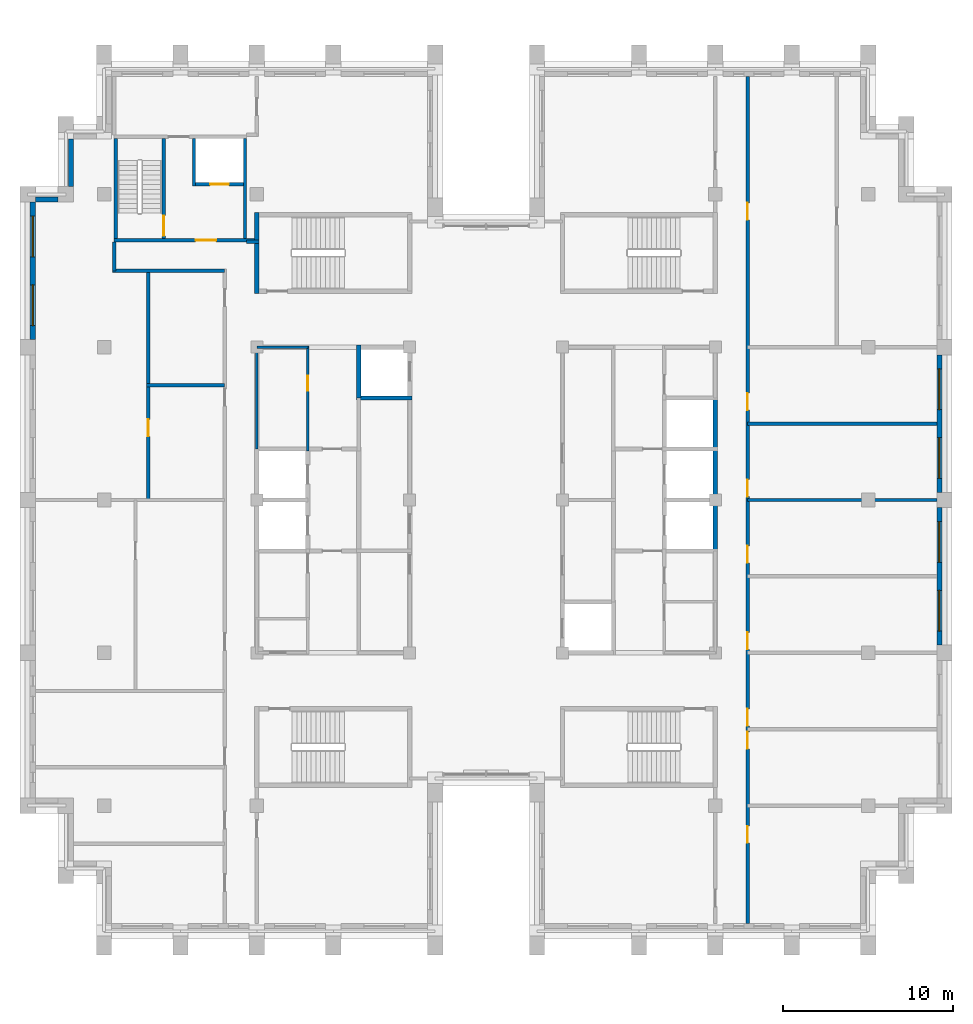
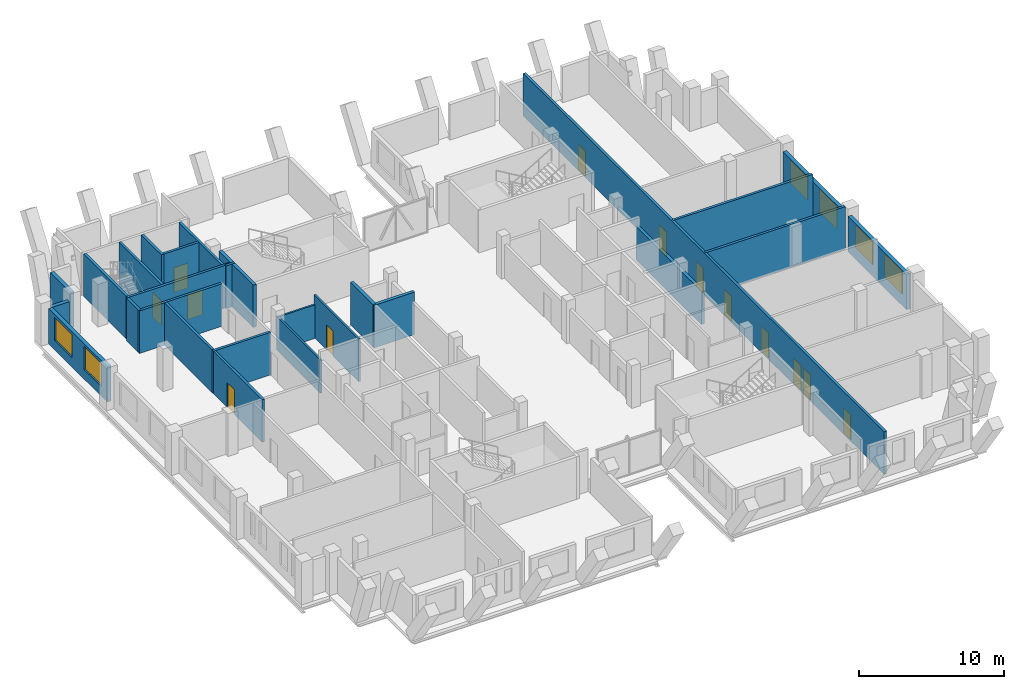
# One storey, part 9 of 13: 26 walls, 13 doors, 6 windows, 19 openings.
"""IFC4 building model written with IfcOpenShell, lengths in metres."""

from ifc_helpers import new_model, si_unit, direction, frame, frame_2d, origin, place, context, subcontext, project, spatial, rectangle, extrude, material, layer, layer_set, type_object, element, fill, save


model = new_model("IFC4")

# Units and contexts
model_context = context("Model", 3, precision=1e-05, world=origin(), true_north=direction((0.0, 1.0)))
body_context = subcontext(model_context, "Body", "Model", "MODEL_VIEW")
ifc_project = project(units=[si_unit("LENGTHUNIT", "METRE"), si_unit("AREAUNIT", "SQUARE_METRE"), si_unit("VOLUMEUNIT", "CUBIC_METRE"), si_unit("PLANEANGLEUNIT", "RADIAN"), si_unit("MASSUNIT", "GRAM", prefix="KILO")], contexts=[model_context])

# Site, building, storey
site_placement = place(None, origin())
site = spatial("IfcSite", under=ifc_project, at=site_placement, CompositionType="ELEMENT")
building_placement = place(site_placement, origin())
building = spatial("IfcBuilding", under=site, at=building_placement, Name="Corbelhall Arena Tower", CompositionType="ELEMENT")
storey_placement = place(building_placement, frame((0.0, 0.0, 346.0)))
storey = spatial("IfcBuildingStorey", under=building, at=storey_placement, Name="L76", CompositionType="ELEMENT", Elevation=346.0)

# Walls
ifc_material_1 = material(Name="Precast concrete C40/50 with granite facing", Category="masonry")
ifc_layer_1 = layer(ifc_material_1, 0.300048828125)
ifc_layer_set_1 = layer_set([ifc_layer_1], Name="EV-IW1 Infill panel 300")
wall_type_1 = type_object("IfcWallType", Name="EV-IW1 Infill panel 300", PredefinedType="SOLIDWALL", material=ifc_layer_set_1)
wall_1_placement = place(storey_placement, frame((-24.449951171875, 21.25, 0.0), z_axis=(0.0, 0.0, 1.0), x_axis=(0.0, -1.0, 0.0)))
element("IfcWall", 1, at=wall_1_placement, inside=storey, type_object=wall_type_1, Name="Infill panel IW1", PredefinedType="SOLIDWALL", context=body_context, shape_type="SweptSolid", body=[
    extrude(rectangle(XDim=2.800048828125, YDim=0.300048828125, at=frame_2d((1.39990234375, 0.0))), origin(), (0.0, 0.0, 1.0), 2.989990234375),
])
wall_2_placement = place(storey_placement, frame((-25.199951171875, 17.699951171875, 0.0), z_axis=(0.0, 0.0, 1.0), x_axis=(-1.0, 0.0, 0.0)))
element("IfcWall", 2, at=wall_2_placement, inside=storey, type_object=wall_type_1, Name="Infill panel IW1", PredefinedType="SOLIDWALL", context=body_context, shape_type="SweptSolid", body=[
    extrude(rectangle(XDim=1.35009765625, YDim=0.300048828125, at=frame_2d((0.675048828125, 0.0))), origin(), (0.0, 0.0, 1.0), 2.989990234375),
])

# Wall, openings, windows
wall_3_placement = place(storey_placement, frame((-26.699951171875, 17.550048828125, 0.0), z_axis=(0.0, 0.0, 1.0), x_axis=(0.0, -1.0, 0.0)))
wall_3 = element("IfcWall", 3, at=wall_3_placement, inside=storey, type_object=wall_type_1, Name="Infill panel IW1", PredefinedType="SOLIDWALL", context=body_context, shape_type="SweptSolid", body=[
    extrude(rectangle(XDim=8.10009765625, YDim=0.300048828125, at=frame_2d((4.050048828125, 0.0))), origin(), (0.0, 0.0, 1.0), 2.989990234375),
])
opening_1_placement = place(wall_3_placement, frame((0.824951171875, 0.0, 0.800048828125)))
opening_1 = element("IfcOpeningElement", 4, at=opening_1_placement, cuts=wall_3, Name="Opening WN1", PredefinedType="OPENING", context=body_context, shape_type="SweptSolid", body=[
    extrude(rectangle(XDim=2.39990234375, YDim=1.949951171875, at=frame_2d((1.199951171875, 0.97509765625))), frame((0.0, 0.14990234375, 0.0), z_axis=(0.0, -1.0, 0.0), x_axis=(1.0, 0.0, 0.0)), (0.0, 0.0, 1.0), 0.300048828125),
])
opening_2_placement = place(wall_3_placement, frame((4.875, 0.0, 0.800048828125)))
opening_2 = element("IfcOpeningElement", 5, at=opening_2_placement, cuts=wall_3, Name="Opening WN1", PredefinedType="OPENING", context=body_context, shape_type="SweptSolid", body=[
    extrude(rectangle(XDim=2.39990234375, YDim=1.949951171875, at=frame_2d((1.199951171875, 0.97509765625))), frame((0.0, 0.14990234375, 0.0), z_axis=(0.0, -1.0, 0.0), x_axis=(1.0, 0.0, 0.0)), (0.0, 0.0, 1.0), 0.300048828125),
])
ifc_material_2 = material(Name="Aluminium black anodised", Category="aluminium")
window_type = type_object("IfcWindowType", Name="EV-WN1 Office window", PartitioningType="SINGLE_PANEL", PredefinedType="WINDOW", material=ifc_material_2)
window_1_placement = place(opening_1_placement, origin())
window_1 = element("IfcWindow", 6, at=window_1_placement, inside=storey, type_object=window_type, Name="Window WN1", OverallHeight=1.949951171875, OverallWidth=2.39990234375, PartitioningType="SINGLE_PANEL", PredefinedType="WINDOW", context=body_context, shape_type="SweptSolid", body=[
    extrude(rectangle(XDim=2.39990234375, YDim=1.949951171875, at=frame_2d((1.199951171875, 0.97509765625))), frame((0.0, 0.030029296875, 0.0), z_axis=(0.0, -1.0, 0.0), x_axis=(1.0, 0.0, 0.0)), (0.0, 0.0, 1.0), 0.06005859375),
])
fill(opening_1, window_1)
window_2_placement = place(opening_2_placement, origin())
window_2 = element("IfcWindow", 7, at=window_2_placement, inside=storey, type_object=window_type, Name="Window WN1", OverallHeight=1.949951171875, OverallWidth=2.39990234375, PartitioningType="SINGLE_PANEL", PredefinedType="WINDOW", context=body_context, shape_type="SweptSolid", body=[
    extrude(rectangle(XDim=2.39990234375, YDim=1.949951171875, at=frame_2d((1.199951171875, 0.97509765625))), frame((0.0, 0.030029296875, 0.0), z_axis=(0.0, -1.0, 0.0), x_axis=(1.0, 0.0, 0.0)), (0.0, 0.0, 1.0), 0.06005859375),
])
fill(opening_2, window_2)

wall_4_placement = place(storey_placement, frame((26.699951171875, -8.550048828125, 0.0), z_axis=(0.0, 0.0, 1.0), x_axis=(0.0, 1.0, 0.0)))
wall_4 = element("IfcWall", 8, at=wall_4_placement, inside=storey, type_object=wall_type_1, Name="Infill panel IW1", PredefinedType="SOLIDWALL", context=body_context, shape_type="SweptSolid", body=[
    extrude(rectangle(XDim=8.10009765625, YDim=0.300048828125, at=frame_2d((4.050048828125, 0.0))), origin(), (0.0, 0.0, 1.0), 2.989990234375),
])
opening_3_placement = place(wall_4_placement, frame((0.824951171875, 0.0, 0.800048828125)))
opening_3 = element("IfcOpeningElement", 9, at=opening_3_placement, cuts=wall_4, Name="Opening WN1", PredefinedType="OPENING", context=body_context, shape_type="SweptSolid", body=[
    extrude(rectangle(XDim=2.39990234375, YDim=1.949951171875, at=frame_2d((1.199951171875, 0.97509765625))), frame((0.0, 0.14990234375, 0.0), z_axis=(0.0, -1.0, 0.0), x_axis=(1.0, 0.0, 0.0)), (0.0, 0.0, 1.0), 0.300048828125),
])
opening_4_placement = place(wall_4_placement, frame((4.875, 0.0, 0.800048828125)))
opening_4 = element("IfcOpeningElement", 10, at=opening_4_placement, cuts=wall_4, Name="Opening WN1", PredefinedType="OPENING", context=body_context, shape_type="SweptSolid", body=[
    extrude(rectangle(XDim=2.39990234375, YDim=1.949951171875, at=frame_2d((1.199951171875, 0.97509765625))), frame((0.0, 0.14990234375, 0.0), z_axis=(0.0, -1.0, 0.0), x_axis=(1.0, 0.0, 0.0)), (0.0, 0.0, 1.0), 0.300048828125),
])
window_3_placement = place(opening_3_placement, origin())
window_3 = element("IfcWindow", 11, at=window_3_placement, inside=storey, type_object=window_type, Name="Window WN1", OverallHeight=1.949951171875, OverallWidth=2.39990234375, PartitioningType="SINGLE_PANEL", PredefinedType="WINDOW", context=body_context, shape_type="SweptSolid", body=[
    extrude(rectangle(XDim=2.39990234375, YDim=1.949951171875, at=frame_2d((1.199951171875, 0.97509765625))), frame((0.0, 0.030029296875, 0.0), z_axis=(0.0, -1.0, 0.0), x_axis=(1.0, 0.0, 0.0)), (0.0, 0.0, 1.0), 0.06005859375),
])
fill(opening_3, window_3)
window_4_placement = place(opening_4_placement, origin())
window_4 = element("IfcWindow", 12, at=window_4_placement, inside=storey, type_object=window_type, Name="Window WN1", OverallHeight=1.949951171875, OverallWidth=2.39990234375, PartitioningType="SINGLE_PANEL", PredefinedType="WINDOW", context=body_context, shape_type="SweptSolid", body=[
    extrude(rectangle(XDim=2.39990234375, YDim=1.949951171875, at=frame_2d((1.199951171875, 0.97509765625))), frame((0.0, 0.030029296875, 0.0), z_axis=(0.0, -1.0, 0.0), x_axis=(1.0, 0.0, 0.0)), (0.0, 0.0, 1.0), 0.06005859375),
])
fill(opening_4, window_4)

wall_5_placement = place(storey_placement, frame((26.699951171875, 0.449951171875, 0.0), z_axis=(0.0, 0.0, 1.0), x_axis=(0.0, 1.0, 0.0)))
wall_5 = element("IfcWall", 13, at=wall_5_placement, inside=storey, type_object=wall_type_1, Name="Infill panel IW1", PredefinedType="SOLIDWALL", context=body_context, shape_type="SweptSolid", body=[
    extrude(rectangle(XDim=8.10009765625, YDim=0.300048828125, at=frame_2d((4.050048828125, 0.0))), origin(), (0.0, 0.0, 1.0), 2.989990234375),
])
opening_5_placement = place(wall_5_placement, frame((0.824951171875, 0.0, 0.800048828125)))
opening_5 = element("IfcOpeningElement", 14, at=opening_5_placement, cuts=wall_5, Name="Opening WN1", PredefinedType="OPENING", context=body_context, shape_type="SweptSolid", body=[
    extrude(rectangle(XDim=2.39990234375, YDim=1.949951171875, at=frame_2d((1.199951171875, 0.97509765625))), frame((0.0, 0.14990234375, 0.0), z_axis=(0.0, -1.0, 0.0), x_axis=(1.0, 0.0, 0.0)), (0.0, 0.0, 1.0), 0.300048828125),
])
opening_6_placement = place(wall_5_placement, frame((4.875, 0.0, 0.800048828125)))
opening_6 = element("IfcOpeningElement", 15, at=opening_6_placement, cuts=wall_5, Name="Opening WN1", PredefinedType="OPENING", context=body_context, shape_type="SweptSolid", body=[
    extrude(rectangle(XDim=2.39990234375, YDim=1.949951171875, at=frame_2d((1.199951171875, 0.97509765625))), frame((0.0, 0.14990234375, 0.0), z_axis=(0.0, -1.0, 0.0), x_axis=(1.0, 0.0, 0.0)), (0.0, 0.0, 1.0), 0.300048828125),
])
window_5_placement = place(opening_5_placement, origin())
window_5 = element("IfcWindow", 16, at=window_5_placement, inside=storey, type_object=window_type, Name="Window WN1", OverallHeight=1.949951171875, OverallWidth=2.39990234375, PartitioningType="SINGLE_PANEL", PredefinedType="WINDOW", context=body_context, shape_type="SweptSolid", body=[
    extrude(rectangle(XDim=2.39990234375, YDim=1.949951171875, at=frame_2d((1.199951171875, 0.97509765625))), frame((0.0, 0.030029296875, 0.0), z_axis=(0.0, -1.0, 0.0), x_axis=(1.0, 0.0, 0.0)), (0.0, 0.0, 1.0), 0.06005859375),
])
fill(opening_5, window_5)
window_6_placement = place(opening_6_placement, origin())
window_6 = element("IfcWindow", 17, at=window_6_placement, inside=storey, type_object=window_type, Name="Window WN1", OverallHeight=1.949951171875, OverallWidth=2.39990234375, PartitioningType="SINGLE_PANEL", PredefinedType="WINDOW", context=body_context, shape_type="SweptSolid", body=[
    extrude(rectangle(XDim=2.39990234375, YDim=1.949951171875, at=frame_2d((1.199951171875, 0.97509765625))), frame((0.0, 0.030029296875, 0.0), z_axis=(0.0, -1.0, 0.0), x_axis=(1.0, 0.0, 0.0)), (0.0, 0.0, 1.0), 0.06005859375),
])
fill(opening_6, window_6)

# Walls
ifc_material_3 = material(Name="Gypsum board on steel stud, acoustic", Category="steel")
ifc_layer_2 = layer(ifc_material_3, 0.199951171875)
ifc_layer_set_2 = layer_set([ifc_layer_2], Name="IN-W-DM200")
wall_type_2 = type_object("IfcWallType", Name="IN-W-DM200", PredefinedType="PARTITIONING", material=ifc_layer_set_2)
wall_6_placement = place(storey_placement, frame((-21.89990234375, 13.5, 0.0), z_axis=(0.0, 0.0, 1.0), x_axis=(0.0, 1.0, 0.0)))
element("IfcWall", 18, at=wall_6_placement, inside=storey, type_object=wall_type_2, Name="Partition 004", PredefinedType="PARTITIONING", context=body_context, shape_type="SweptSolid", body=[
    extrude(rectangle(XDim=1.699951171875, YDim=0.199951171875, at=frame_2d((0.85009765625, 0.0))), origin(), (0.0, 0.0, 1.0), 3.590087890625),
])
wall_7_placement = place(storey_placement, frame((-20.0, 6.75, 0.0), z_axis=(0.0, 0.0, 1.0), x_axis=(1.0, 0.0, 0.0)))
element("IfcWall", 19, at=wall_7_placement, inside=storey, type_object=wall_type_2, Name="Partition 008", PredefinedType="PARTITIONING", context=body_context, shape_type="SweptSolid", body=[
    extrude(rectangle(XDim=4.60009765625, YDim=0.199951171875, at=frame_2d((2.300048828125, 0.0))), origin(), (0.0, 0.0, 1.0), 3.590087890625),
])

# Wall, opening, door
wall_8_placement = place(storey_placement, frame((-19.89990234375, -0.10009765625, 0.0), z_axis=(0.0, 0.0, 1.0), x_axis=(0.0, 1.0, 0.0)))
wall_8 = element("IfcWall", 20, at=wall_8_placement, inside=storey, type_object=wall_type_2, Name="Partition 009", PredefinedType="PARTITIONING", context=body_context, shape_type="SweptSolid", body=[
    extrude(rectangle(XDim=13.60009765625, YDim=0.199951171875, at=frame_2d((6.800048828125, 0.0))), origin(), (0.0, 0.0, 1.0), 3.590087890625),
])
opening_7_placement = place(wall_8_placement, frame((3.85009765625, 0.0, 0.0)))
opening_7 = element("IfcOpeningElement", 21, at=opening_7_placement, cuts=wall_8, Name="Opening 24024", PredefinedType="OPENING", context=body_context, shape_type="SweptSolid", body=[
    extrude(rectangle(XDim=1.0, YDim=2.10009765625, at=frame_2d((0.5, 1.050048828125))), frame((0.0, 0.10009765625, 0.0), z_axis=(0.0, -1.0, 0.0), x_axis=(1.0, 0.0, 0.0)), (0.0, 0.0, 1.0), 0.199951171875),
])
ifc_material_4 = material(Name="Steel door set", Category="steel")
door_type_1 = type_object("IfcDoorType", Name="IN-D-SW100", OperationType="NOTDEFINED", PredefinedType="DOOR", material=ifc_material_4)
door_1_placement = place(opening_7_placement, origin())
door_1 = element("IfcDoor", 22, at=door_1_placement, inside=storey, type_object=door_type_1, Name="Door 024", OperationType="SINGLE_SWING_LEFT", OverallHeight=2.10009765625, OverallWidth=1.0, PredefinedType="DOOR", context=body_context, shape_type="SweptSolid", body=[
    extrude(rectangle(XDim=1.0, YDim=2.10009765625, at=frame_2d((0.5, 1.050048828125))), frame((0.0, 0.02490234375, 0.0), z_axis=(0.0, -1.0, 0.0), x_axis=(1.0, 0.0, 0.0)), (0.0, 0.0, 1.0), 0.050048828125),
])
fill(opening_7, door_1)

# Walls
wall_9_placement = place(storey_placement, frame((-15.39990234375, 13.5, 0.0), z_axis=(0.0, 0.0, 1.0), x_axis=(-1.0, 0.0, 0.0)))
element("IfcWall", 23, at=wall_9_placement, inside=storey, type_object=wall_type_2, Name="Partition 010", PredefinedType="PARTITIONING", context=body_context, shape_type="SweptSolid", body=[
    extrude(rectangle(XDim=6.60009765625, YDim=0.199951171875, at=frame_2d((3.300048828125, 0.0))), origin(), (0.0, 0.0, 1.0), 3.590087890625),
])
wall_10_placement = place(storey_placement, frame((-14.10009765625, 15.199951171875, 0.0), z_axis=(0.0, 0.0, 1.0), x_axis=(1.0, 0.0, 0.0)))
element("IfcWall", 24, at=wall_10_placement, inside=storey, type_object=wall_type_2, Name="Partition 012", PredefinedType="PARTITIONING", context=body_context, shape_type="SweptSolid", body=[
    extrude(rectangle(XDim=0.72509765625, YDim=0.199951171875, at=frame_2d((0.362548828125, 0.0))), origin(), (0.0, 0.0, 1.0), 3.590087890625),
])

# Wall, openings, doors
wall_11_placement = place(storey_placement, frame((15.39990234375, 24.949951171875, 0.0), z_axis=(0.0, 0.0, 1.0), x_axis=(0.0, -1.0, 0.0)))
wall_11 = element("IfcWall", 25, at=wall_11_placement, inside=storey, type_object=wall_type_2, Name="Partition 023", PredefinedType="PARTITIONING", context=body_context, shape_type="SweptSolid", body=[
    extrude(rectangle(XDim=49.89990234375, YDim=0.199951171875, at=frame_2d((24.949951171875, 0.0))), origin(), (0.0, 0.0, 1.0), 3.590087890625),
])
opening_8_placement = place(wall_11_placement, frame((23.75, 0.0, 0.0)))
opening_8 = element("IfcOpeningElement", 26, at=opening_8_placement, cuts=wall_11, Name="Opening 24030", PredefinedType="OPENING", context=body_context, shape_type="SweptSolid", body=[
    extrude(rectangle(XDim=1.0, YDim=2.10009765625, at=frame_2d((0.5, 1.050048828125))), frame((0.0, 0.10009765625, 0.0), z_axis=(0.0, -1.0, 0.0), x_axis=(1.0, 0.0, 0.0)), (0.0, 0.0, 1.0), 0.199951171875),
])
opening_9_placement = place(wall_11_placement, frame((18.64990234375, 0.0, 0.0)))
opening_9 = element("IfcOpeningElement", 27, at=opening_9_placement, cuts=wall_11, Name="Opening 24031", PredefinedType="OPENING", context=body_context, shape_type="SweptSolid", body=[
    extrude(rectangle(XDim=1.0, YDim=2.10009765625, at=frame_2d((0.5, 1.050048828125))), frame((0.0, 0.10009765625, 0.0), z_axis=(0.0, -1.0, 0.0), x_axis=(1.0, 0.0, 0.0)), (0.0, 0.0, 1.0), 0.199951171875),
])
opening_10_placement = place(wall_11_placement, frame((7.449951171875, 0.0, 0.0)))
opening_10 = element("IfcOpeningElement", 28, at=opening_10_placement, cuts=wall_11, Name="Opening 24032", PredefinedType="OPENING", context=body_context, shape_type="SweptSolid", body=[
    extrude(rectangle(XDim=1.0, YDim=2.10009765625, at=frame_2d((0.5, 1.050048828125))), frame((0.0, 0.10009765625, 0.0), z_axis=(0.0, -1.0, 0.0), x_axis=(1.0, 0.0, 0.0)), (0.0, 0.0, 1.0), 0.199951171875),
])
opening_11_placement = place(wall_11_placement, frame((44.14990234375, 0.0, 0.0)))
opening_11 = element("IfcOpeningElement", 29, at=opening_11_placement, cuts=wall_11, Name="Opening 24034", PredefinedType="OPENING", context=body_context, shape_type="SweptSolid", body=[
    extrude(rectangle(XDim=1.0, YDim=2.10009765625, at=frame_2d((0.5, 1.050048828125))), frame((0.0, 0.10009765625, 0.0), z_axis=(0.0, -1.0, 0.0), x_axis=(1.0, 0.0, 0.0)), (0.0, 0.0, 1.0), 0.199951171875),
])
opening_12_placement = place(wall_11_placement, frame((38.60009765625, 0.0, 0.0)))
opening_12 = element("IfcOpeningElement", 30, at=opening_12_placement, cuts=wall_11, Name="Opening 24035", PredefinedType="OPENING", context=body_context, shape_type="SweptSolid", body=[
    extrude(rectangle(XDim=1.0, YDim=2.10009765625, at=frame_2d((0.5, 1.050048828125))), frame((0.0, 0.10009765625, 0.0), z_axis=(0.0, -1.0, 0.0), x_axis=(1.0, 0.0, 0.0)), (0.0, 0.0, 1.0), 0.199951171875),
])
opening_13_placement = place(wall_11_placement, frame((37.25, 0.0, 0.0)))
opening_13 = element("IfcOpeningElement", 31, at=opening_13_placement, cuts=wall_11, Name="Opening 24036", PredefinedType="OPENING", context=body_context, shape_type="SweptSolid", body=[
    extrude(rectangle(XDim=1.0, YDim=2.10009765625, at=frame_2d((0.5, 1.050048828125))), frame((0.0, 0.10009765625, 0.0), z_axis=(0.0, -1.0, 0.0), x_axis=(1.0, 0.0, 0.0)), (0.0, 0.0, 1.0), 0.199951171875),
])
opening_14_placement = place(wall_11_placement, frame((32.75, 0.0, 0.0)))
opening_14 = element("IfcOpeningElement", 32, at=opening_14_placement, cuts=wall_11, Name="Opening 24037", PredefinedType="OPENING", context=body_context, shape_type="SweptSolid", body=[
    extrude(rectangle(XDim=1.0, YDim=2.10009765625, at=frame_2d((0.5, 1.050048828125))), frame((0.0, 0.10009765625, 0.0), z_axis=(0.0, -1.0, 0.0), x_axis=(1.0, 0.0, 0.0)), (0.0, 0.0, 1.0), 0.199951171875),
])
opening_15_placement = place(wall_11_placement, frame((27.64990234375, 0.0, 0.0)))
opening_15 = element("IfcOpeningElement", 33, at=opening_15_placement, cuts=wall_11, Name="Opening 24038", PredefinedType="OPENING", context=body_context, shape_type="SweptSolid", body=[
    extrude(rectangle(XDim=1.0, YDim=2.10009765625, at=frame_2d((0.5, 1.050048828125))), frame((0.0, 0.10009765625, 0.0), z_axis=(0.0, -1.0, 0.0), x_axis=(1.0, 0.0, 0.0)), (0.0, 0.0, 1.0), 0.199951171875),
])
door_2_placement = place(opening_8_placement, origin())
door_2 = element("IfcDoor", 34, at=door_2_placement, inside=storey, type_object=door_type_1, Name="Door 030", OperationType="SINGLE_SWING_LEFT", OverallHeight=2.10009765625, OverallWidth=1.0, PredefinedType="DOOR", context=body_context, shape_type="SweptSolid", body=[
    extrude(rectangle(XDim=1.0, YDim=2.10009765625, at=frame_2d((0.5, 1.050048828125))), frame((0.0, 0.02490234375, 0.0), z_axis=(0.0, -1.0, 0.0), x_axis=(1.0, 0.0, 0.0)), (0.0, 0.0, 1.0), 0.050048828125),
])
fill(opening_8, door_2)
door_3_placement = place(opening_9_placement, origin())
door_3 = element("IfcDoor", 35, at=door_3_placement, inside=storey, type_object=door_type_1, Name="Door 031", OperationType="SINGLE_SWING_RIGHT", OverallHeight=2.10009765625, OverallWidth=1.0, PredefinedType="DOOR", context=body_context, shape_type="SweptSolid", body=[
    extrude(rectangle(XDim=1.0, YDim=2.10009765625, at=frame_2d((0.5, 1.050048828125))), frame((0.0, 0.02490234375, 0.0), z_axis=(0.0, -1.0, 0.0), x_axis=(1.0, 0.0, 0.0)), (0.0, 0.0, 1.0), 0.050048828125),
])
fill(opening_9, door_3)
door_4_placement = place(opening_10_placement, origin())
door_4 = element("IfcDoor", 36, at=door_4_placement, inside=storey, type_object=door_type_1, Name="Door 032", OperationType="SINGLE_SWING_LEFT", OverallHeight=2.10009765625, OverallWidth=1.0, PredefinedType="DOOR", context=body_context, shape_type="SweptSolid", body=[
    extrude(rectangle(XDim=1.0, YDim=2.10009765625, at=frame_2d((0.5, 1.050048828125))), frame((0.0, 0.02490234375, 0.0), z_axis=(0.0, -1.0, 0.0), x_axis=(1.0, 0.0, 0.0)), (0.0, 0.0, 1.0), 0.050048828125),
])
fill(opening_10, door_4)
door_5_placement = place(opening_11_placement, origin())
door_5 = element("IfcDoor", 37, at=door_5_placement, inside=storey, type_object=door_type_1, Name="Door 034", OperationType="SINGLE_SWING_LEFT", OverallHeight=2.10009765625, OverallWidth=1.0, PredefinedType="DOOR", context=body_context, shape_type="SweptSolid", body=[
    extrude(rectangle(XDim=1.0, YDim=2.10009765625, at=frame_2d((0.5, 1.050048828125))), frame((0.0, 0.02490234375, 0.0), z_axis=(0.0, -1.0, 0.0), x_axis=(1.0, 0.0, 0.0)), (0.0, 0.0, 1.0), 0.050048828125),
])
fill(opening_11, door_5)
door_6_placement = place(opening_12_placement, origin())
door_6 = element("IfcDoor", 38, at=door_6_placement, inside=storey, type_object=door_type_1, Name="Door 035", OperationType="SINGLE_SWING_RIGHT", OverallHeight=2.10009765625, OverallWidth=1.0, PredefinedType="DOOR", context=body_context, shape_type="SweptSolid", body=[
    extrude(rectangle(XDim=1.0, YDim=2.10009765625, at=frame_2d((0.5, 1.050048828125))), frame((0.0, 0.02490234375, 0.0), z_axis=(0.0, -1.0, 0.0), x_axis=(1.0, 0.0, 0.0)), (0.0, 0.0, 1.0), 0.050048828125),
])
fill(opening_12, door_6)
door_7_placement = place(opening_13_placement, origin())
door_7 = element("IfcDoor", 39, at=door_7_placement, inside=storey, type_object=door_type_1, Name="Door 036", OperationType="SINGLE_SWING_LEFT", OverallHeight=2.10009765625, OverallWidth=1.0, PredefinedType="DOOR", context=body_context, shape_type="SweptSolid", body=[
    extrude(rectangle(XDim=1.0, YDim=2.10009765625, at=frame_2d((0.5, 1.050048828125))), frame((0.0, 0.02490234375, 0.0), z_axis=(0.0, -1.0, 0.0), x_axis=(1.0, 0.0, 0.0)), (0.0, 0.0, 1.0), 0.050048828125),
])
fill(opening_13, door_7)
door_8_placement = place(opening_14_placement, origin())
door_8 = element("IfcDoor", 40, at=door_8_placement, inside=storey, type_object=door_type_1, Name="Door 037", OperationType="SINGLE_SWING_RIGHT", OverallHeight=2.10009765625, OverallWidth=1.0, PredefinedType="DOOR", context=body_context, shape_type="SweptSolid", body=[
    extrude(rectangle(XDim=1.0, YDim=2.10009765625, at=frame_2d((0.5, 1.050048828125))), frame((0.0, 0.02490234375, 0.0), z_axis=(0.0, -1.0, 0.0), x_axis=(1.0, 0.0, 0.0)), (0.0, 0.0, 1.0), 0.050048828125),
])
fill(opening_14, door_8)
door_9_placement = place(opening_15_placement, origin())
door_9 = element("IfcDoor", 41, at=door_9_placement, inside=storey, type_object=door_type_1, Name="Door 038", OperationType="SINGLE_SWING_LEFT", OverallHeight=2.10009765625, OverallWidth=1.0, PredefinedType="DOOR", context=body_context, shape_type="SweptSolid", body=[
    extrude(rectangle(XDim=1.0, YDim=2.10009765625, at=frame_2d((0.5, 1.050048828125))), frame((0.0, 0.02490234375, 0.0), z_axis=(0.0, -1.0, 0.0), x_axis=(1.0, 0.0, 0.0)), (0.0, 0.0, 1.0), 0.050048828125),
])
fill(opening_15, door_9)

# Walls
for number, where, z_axis, x_axis, name in (
    (42, (15.39990234375, 4.5, 0.0), (0.0, 0.0, 1.0), (1.0, 0.0, 0.0), "Partition 027"),
    (43, (26.550048828125, 0.0, 0.0), (0.0, 0.0, 1.0), (-1.0, 0.0, 0.0), "Partition 030"),
):
    element("IfcWall", number, at=place(storey_placement, frame(where, z_axis=z_axis, x_axis=x_axis)), inside=storey, type_object=wall_type_2, Name=name, PredefinedType="PARTITIONING", context=body_context, shape_type="SweptSolid", body=[
        extrude(rectangle(XDim=11.150146484375, YDim=0.199951171875, at=frame_2d((5.5751953125, 0.0))), origin(), (0.0, 0.0, 1.0), 3.590087890625),
    ])

# Wall, opening, door
ifc_material_5 = material(Name="Concrete C40/50", Category="concrete")
ifc_layer_3 = layer(ifc_material_5, 0.199951171875)
ifc_layer_set_3 = layer_set([ifc_layer_3], Name="IN-W-EAR200")
wall_type_3 = type_object("IfcWallType", Name="IN-W-EAR200", PredefinedType="SOLIDWALL", material=ifc_layer_set_3)
wall_12_placement = place(storey_placement, frame((-21.89990234375, 15.300048828125, 0.0), z_axis=(0.0, 0.0, 1.0), x_axis=(1.0, 0.0, 0.0)))
wall_12 = element("IfcWall", 44, at=wall_12_placement, inside=storey, type_object=wall_type_3, Name="Fire service turret wall south", PredefinedType="SOLIDWALL", context=body_context, shape_type="SweptSolid", body=[
    extrude(rectangle(XDim=8.27490234375, YDim=0.199951171875, at=frame_2d((4.137451171875, 0.0))), origin(), (0.0, 0.0, 1.0), 3.590087890625),
])
opening_16_placement = place(wall_12_placement, frame((4.800048828125, 0.0, 0.0)))
opening_16 = element("IfcOpeningElement", 45, at=opening_16_placement, cuts=wall_12, Name="Opening E242", PredefinedType="OPENING", context=body_context, shape_type="SweptSolid", body=[
    extrude(rectangle(XDim=1.199951171875, YDim=2.10009765625, at=frame_2d((0.60009765625, 1.050048828125))), frame((0.0, 0.10009765625, 0.0), z_axis=(0.0, -1.0, 0.0), x_axis=(1.0, 0.0, 0.0)), (0.0, 0.0, 1.0), 0.199951171875),
])
door_type_2 = type_object("IfcDoorType", Name="IN-D-ST120", OperationType="NOTDEFINED", PredefinedType="DOOR", material=ifc_material_4)
door_10_placement = place(opening_16_placement, origin())
door_10 = element("IfcDoor", 46, at=door_10_placement, inside=storey, type_object=door_type_2, Name="Door from fire service lift lobby to circulation", OperationType="SINGLE_SWING_RIGHT", OverallHeight=2.10009765625, OverallWidth=1.199951171875, PredefinedType="DOOR", context=body_context, shape_type="SweptSolid", body=[
    extrude(rectangle(XDim=1.199951171875, YDim=2.10009765625, at=frame_2d((0.60009765625, 1.050048828125))), frame((0.0, 0.02490234375, 0.0), z_axis=(0.0, -1.0, 0.0), x_axis=(1.0, 0.0, 0.0)), (0.0, 0.0, 1.0), 0.050048828125),
])
fill(opening_16, door_10)

# Walls
for number, where, z_axis, x_axis, name in (
    (47, (-21.800048828125, 15.39990234375, 0.0), (0.0, 0.0, 1.0), (0.0, 1.0, 0.0), "Fire service turret wall west"),
    (48, (-14.199951171875, 15.39990234375, 0.0), (0.0, 0.0, 1.0), (0.0, 1.0, 0.0), "Fire service turret wall east"),
):
    element("IfcWall", number, at=place(storey_placement, frame(where, z_axis=z_axis, x_axis=x_axis)), inside=storey, type_object=wall_type_3, Name=name, PredefinedType="SOLIDWALL", context=body_context, shape_type="SweptSolid", body=[
        extrude(rectangle(XDim=5.900146484375, YDim=0.199951171875, at=frame_2d((2.9501953125, 0.0))), origin(), (0.0, 0.0, 1.0), 3.590087890625),
    ])

# Wall, opening, door
wall_13_placement = place(storey_placement, frame((-18.989990234375, 15.39990234375, 0.0), z_axis=(0.0, 0.0, 1.0), x_axis=(0.0, 1.0, 0.0)))
wall_13 = element("IfcWall", 49, at=wall_13_placement, inside=storey, type_object=wall_type_3, Name="Fire service turret wall stair", PredefinedType="SOLIDWALL", context=body_context, shape_type="SweptSolid", body=[
    extrude(rectangle(XDim=5.900146484375, YDim=0.199951171875, at=frame_2d((2.9501953125, 0.0))), origin(), (0.0, 0.0, 1.0), 3.590087890625),
])
opening_17_placement = place(wall_13_placement, frame((0.14990234375, 0.0, 0.0)))
opening_17 = element("IfcOpeningElement", 50, at=opening_17_placement, cuts=wall_13, Name="Opening E241", PredefinedType="OPENING", context=body_context, shape_type="SweptSolid", body=[
    extrude(rectangle(XDim=1.199951171875, YDim=2.10009765625, at=frame_2d((0.60009765625, 1.050048828125))), frame((0.0, 0.10009765625, 0.0), z_axis=(0.0, -1.0, 0.0), x_axis=(1.0, 0.0, 0.0)), (0.0, 0.0, 1.0), 0.199951171875),
])
door_11_placement = place(opening_17_placement, origin())
door_11 = element("IfcDoor", 51, at=door_11_placement, inside=storey, type_object=door_type_2, Name="Stair door to fire service lobby", OperationType="SINGLE_SWING_LEFT", OverallHeight=2.10009765625, OverallWidth=1.199951171875, PredefinedType="DOOR", context=body_context, shape_type="SweptSolid", body=[
    extrude(rectangle(XDim=1.199951171875, YDim=2.10009765625, at=frame_2d((0.60009765625, 1.050048828125))), frame((0.0, 0.02490234375, 0.0), z_axis=(0.0, -1.0, 0.0), x_axis=(1.0, 0.0, 0.0)), (0.0, 0.0, 1.0), 0.050048828125),
])
fill(opening_17, door_11)

# Wall
wall_14_placement = place(storey_placement, frame((-17.199951171875, 18.5, 0.0), z_axis=(0.0, 0.0, 1.0), x_axis=(0.0, 1.0, 0.0)))
element("IfcWall", 52, at=wall_14_placement, inside=storey, type_object=wall_type_3, Name="Fire service turret wall hoistway west", PredefinedType="SOLIDWALL", context=body_context, shape_type="SweptSolid", body=[
    extrude(rectangle(XDim=2.800048828125, YDim=0.199951171875, at=frame_2d((1.39990234375, 0.0))), origin(), (0.0, 0.0, 1.0), 3.590087890625),
])

# Wall, opening, door
wall_15_placement = place(storey_placement, frame((-17.10009765625, 18.60009765625, 0.0), z_axis=(0.0, 0.0, 1.0), x_axis=(1.0, 0.0, 0.0)))
wall_15 = element("IfcWall", 53, at=wall_15_placement, inside=storey, type_object=wall_type_3, Name="Fire service turret wall hoistway south", PredefinedType="SOLIDWALL", context=body_context, shape_type="SweptSolid", body=[
    extrude(rectangle(XDim=2.800048828125, YDim=0.199951171875, at=frame_2d((1.39990234375, 0.0))), origin(), (0.0, 0.0, 1.0), 3.590087890625),
])
opening_18_placement = place(wall_15_placement, frame((0.85009765625, 0.0, 0.0)))
opening_18 = element("IfcOpeningElement", 54, at=opening_18_placement, cuts=wall_15, Name="Opening LD", PredefinedType="OPENING", context=body_context, shape_type="SweptSolid", body=[
    extrude(rectangle(XDim=1.10009765625, YDim=2.10009765625, at=frame_2d((0.550048828125, 1.050048828125))), frame((0.0, 0.10009765625, 0.0), z_axis=(0.0, -1.0, 0.0), x_axis=(1.0, 0.0, 0.0)), (0.0, 0.0, 1.0), 0.199951171875),
])
door_type_3 = type_object("IfcDoorType", Name="IN-D-LD110", OperationType="NOTDEFINED", PredefinedType="DOOR", material=ifc_material_4)
door_12_placement = place(opening_18_placement, origin())
door_12 = element("IfcDoor", 55, at=door_12_placement, inside=storey, type_object=door_type_3, Name="Landing door FS1", OperationType="SLIDING_TO_LEFT", OverallHeight=2.10009765625, OverallWidth=1.10009765625, PredefinedType="DOOR", context=body_context, shape_type="SweptSolid", body=[
    extrude(rectangle(XDim=1.10009765625, YDim=2.10009765625, at=frame_2d((0.550048828125, 1.050048828125))), frame((0.0, 0.02490234375, 0.0), z_axis=(0.0, -1.0, 0.0), x_axis=(1.0, 0.0, 0.0)), (0.0, 0.0, 1.0), 0.050048828125),
])
fill(opening_18, door_12)

# Walls
ifc_layer_4 = layer(ifc_material_5, 0.25)
ifc_layer_set_4 = layer_set([ifc_layer_4], Name="IN-W-SH250")
wall_type_4 = type_object("IfcWallType", Name="IN-W-SH250", PredefinedType="SOLIDWALL", material=ifc_layer_set_4)
wall_16_placement = place(storey_placement, frame((-7.625, 6.0, 0.0), z_axis=(0.0, 0.0, 1.0), x_axis=(1.0, 0.0, 0.0)))
element("IfcWall", 56, at=wall_16_placement, inside=storey, type_object=wall_type_4, Name="Shaft wall 053", PredefinedType="SOLIDWALL", context=body_context, shape_type="SweptSolid", body=[
    extrude(rectangle(XDim=3.25, YDim=0.25, at=frame_2d((1.625, 0.0))), origin(), (0.0, 0.0, 1.0), 3.590087890625),
])
wall_17_placement = place(storey_placement, frame((-7.5, 6.0, 0.0), z_axis=(0.0, 0.0, 1.0), x_axis=(0.0, 1.0, 0.0)))
element("IfcWall", 57, at=wall_17_placement, inside=storey, type_object=wall_type_4, Name="Shaft wall 055", PredefinedType="SOLIDWALL", context=body_context, shape_type="SweptSolid", body=[
    extrude(rectangle(XDim=3.125, YDim=0.25, at=frame_2d((1.5625, 0.0))), origin(), (0.0, 0.0, 1.0), 3.590087890625),
])
ifc_layer_5 = layer(ifc_material_5, 0.25)
ifc_layer_set_5 = layer_set([ifc_layer_5], Name="IN-W-SH250 under beam 762 mm")
wall_type_5 = type_object("IfcWallType", Name="IN-W-SH250 under beam 762 mm", PredefinedType="SOLIDWALL", material=ifc_layer_set_5)
wall_18_placement = place(storey_placement, frame((13.5, 6.0, 0.0), z_axis=(0.0, 0.0, 1.0), x_axis=(0.0, -1.0, 0.0)))
element("IfcWall", 58, at=wall_18_placement, inside=storey, type_object=wall_type_5, Name="Shaft wall 068", PredefinedType="SOLIDWALL", context=body_context, shape_type="SweptSolid", body=[
    extrude(rectangle(XDim=9.0, YDim=0.25, at=frame_2d((4.5, 0.0))), origin(), (0.0, 0.0, 1.0), 2.827880859375),
])
ifc_layer_6 = layer(ifc_material_5, 0.25)
ifc_layer_set_6 = layer_set([ifc_layer_6], Name="IN-W-ST250")
wall_type_6 = type_object("IfcWallType", Name="IN-W-ST250", PredefinedType="SOLIDWALL", material=ifc_layer_set_6)
wall_19_placement = place(storey_placement, frame((-13.5, 12.175048828125, 0.0), z_axis=(0.0, 0.0, 1.0), x_axis=(0.0, 1.0, 0.0)))
element("IfcWall", 59, at=wall_19_placement, inside=storey, type_object=wall_type_6, Name="Shaft wall 071", PredefinedType="SOLIDWALL", context=body_context, shape_type="SweptSolid", body=[
    extrude(rectangle(XDim=4.75, YDim=0.25, at=frame_2d((2.375, 0.0))), origin(), (0.0, 0.0, 1.0), 3.590087890625),
])

# Wall, opening, door
ifc_material_6 = material(Name="Gypsum board on steel stud, moisture resistant", Category="steel")
ifc_layer_7 = layer(ifc_material_6, 0.14990234375)
ifc_layer_set_7 = layer_set([ifc_layer_7], Name="IN-W-WC150")
wall_type_7 = type_object("IfcWallType", Name="IN-W-WC150", PredefinedType="PARTITIONING", material=ifc_layer_set_7)
wall_20_placement = place(storey_placement, frame((-10.5, 2.875, 0.0), z_axis=(0.0, 0.0, 1.0), x_axis=(0.0, 1.0, 0.0)))
wall_20 = element("IfcWall", 60, at=wall_20_placement, inside=storey, type_object=wall_type_7, Name="Partition 091", PredefinedType="PARTITIONING", context=body_context, shape_type="SweptSolid", body=[
    extrude(rectangle(XDim=6.199951171875, YDim=0.14990234375, at=frame_2d((3.10009765625, 0.0))), origin(), (0.0, 0.0, 1.0), 3.590087890625),
])
opening_19_placement = place(wall_20_placement, frame((3.550048828125, 0.0, 0.0)))
opening_19 = element("IfcOpeningElement", 61, at=opening_19_placement, cuts=wall_20, Name="Opening 24007", PredefinedType="OPENING", context=body_context, shape_type="SweptSolid", body=[
    extrude(rectangle(XDim=0.89990234375, YDim=2.10009765625, at=frame_2d((0.449951171875, 1.050048828125))), frame((0.0, 0.074951171875, 0.0), z_axis=(0.0, -1.0, 0.0), x_axis=(1.0, 0.0, 0.0)), (0.0, 0.0, 1.0), 0.14990234375),
])
ifc_material_7 = material(Name="Timber door set", Category="wood")
door_type_4 = type_object("IfcDoorType", Name="IN-D-SW90", OperationType="NOTDEFINED", PredefinedType="DOOR", material=ifc_material_7)
door_13_placement = place(opening_19_placement, origin())
door_13 = element("IfcDoor", 62, at=door_13_placement, inside=storey, type_object=door_type_4, Name="Door 007", OperationType="SINGLE_SWING_RIGHT", OverallHeight=2.10009765625, OverallWidth=0.89990234375, PredefinedType="DOOR", context=body_context, shape_type="SweptSolid", body=[
    extrude(rectangle(XDim=0.89990234375, YDim=2.10009765625, at=frame_2d((0.449951171875, 1.050048828125))), frame((0.0, 0.02490234375, 0.0), z_axis=(0.0, -1.0, 0.0), x_axis=(1.0, 0.0, 0.0)), (0.0, 0.0, 1.0), 0.050048828125),
])
fill(opening_19, door_13)

# Walls
ifc_layer_8 = layer(ifc_material_6, 0.14990234375)
ifc_layer_set_8 = layer_set([ifc_layer_8], Name="IN-W-WC150 under beam 762 mm")
wall_type_8 = type_object("IfcWallType", Name="IN-W-WC150 under beam 762 mm", PredefinedType="PARTITIONING", material=ifc_layer_set_8)
wall_21_placement = place(storey_placement, frame((-13.5, 3.0, 0.0), z_axis=(0.0, 0.0, 1.0), x_axis=(0.0, 1.0, 0.0)))
element("IfcWall", 63, at=wall_21_placement, inside=storey, type_object=wall_type_8, Name="Partition 087", PredefinedType="PARTITIONING", context=body_context, shape_type="SweptSolid", body=[
    extrude(rectangle(XDim=6.074951171875, YDim=0.14990234375, at=frame_2d((3.03759765625, 0.0))), origin(), (0.0, 0.0, 1.0), 2.827880859375),
])
wall_22_placement = place(storey_placement, frame((-13.5, 9.0, 0.0), z_axis=(0.0, 0.0, 1.0), x_axis=(1.0, 0.0, 0.0)))
element("IfcWall", 64, at=wall_22_placement, inside=storey, type_object=wall_type_8, Name="Partition 088", PredefinedType="PARTITIONING", context=body_context, shape_type="SweptSolid", body=[
    extrude(rectangle(XDim=3.0, YDim=0.14990234375, at=frame_2d((1.5, 0.0))), origin(), (0.0, 0.0, 1.0), 2.827880859375),
])

save(model, "model.ifc")
